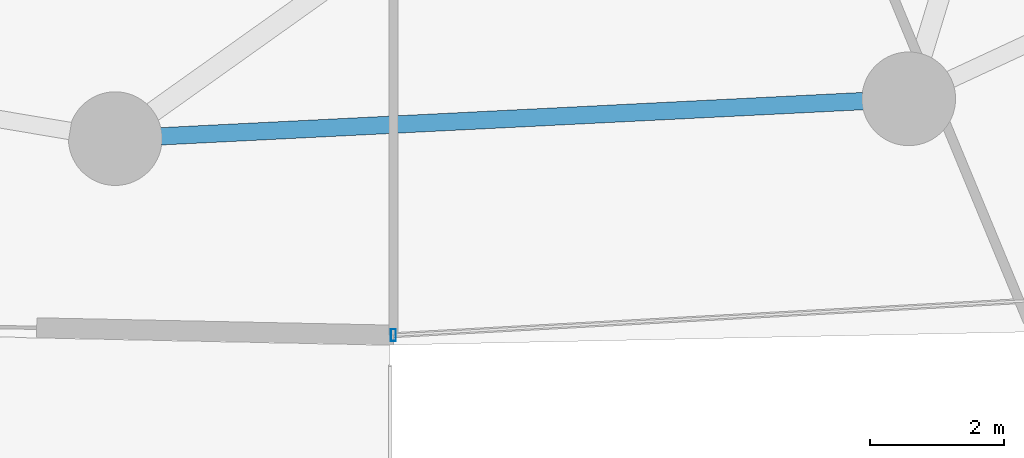
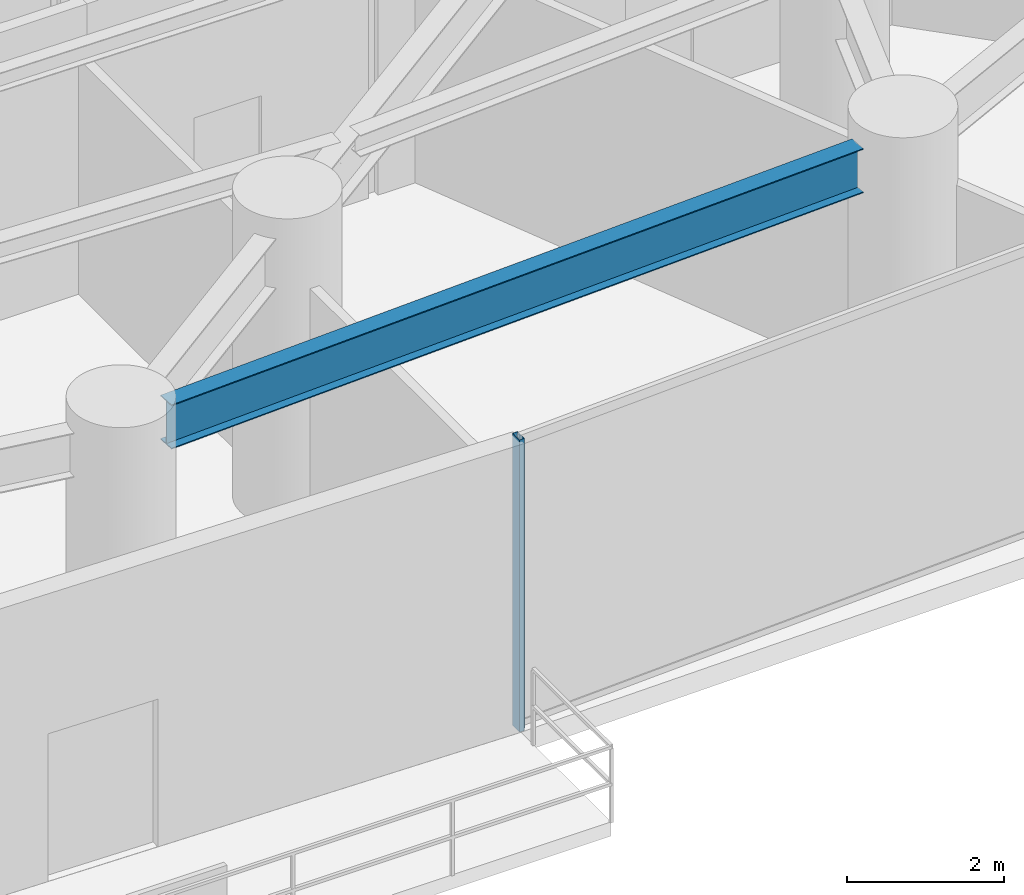
# One storey, part 9 of 30: 1 beam, 1 member, 1 element without a shape of its own.
"""IFC4 building model written with IfcOpenShell, lengths in metres."""

from ifc_helpers import new_model, si_unit, direction, frame, origin, origin_2d, place, context, subcontext, project, spatial, hollow_rectangle, i_section, extrude, material, material_profile, profile_set, type_object, element, aggregate, save


model = new_model("IFC4")

# Units and contexts
model_context = context("Model", 3, precision=1e-05, world=origin(), true_north=direction((0.0, 1.0)))
body_context = subcontext(model_context, "Body", "Model", "MODEL_VIEW")
ifc_project = project(units=[si_unit("LENGTHUNIT", "METRE"), si_unit("AREAUNIT", "SQUARE_METRE"), si_unit("VOLUMEUNIT", "CUBIC_METRE"), si_unit("PLANEANGLEUNIT", "RADIAN"), si_unit("MASSUNIT", "GRAM", prefix="KILO")], contexts=[model_context])

# Site, building, storey
site_placement = place(None, origin())
site = spatial("IfcSite", under=ifc_project, at=site_placement, CompositionType="ELEMENT")
building_placement = place(site_placement, origin())
building = spatial("IfcBuilding", under=site, at=building_placement, Name="Vorneva Point Tower", CompositionType="ELEMENT")
storey_placement = place(building_placement, frame((0.0, 0.0, 9.60009765625)))
storey = spatial("IfcBuildingStorey", under=building, at=storey_placement, Name="L02", CompositionType="ELEMENT", Elevation=9.60009765625)

# Beam
ifc_material_1 = material(Name="Steel S355", Category="steel")
ifc_material_profile_1 = material_profile(ifc_material_1, i_section(OverallWidth=0.260009765625, OverallDepth=0.69091796875, WebThickness=0.011962890625, FlangeThickness=0.015380859375, at=origin_2d()), Name="70B1")
ifc_profile_set_1 = profile_set([ifc_material_profile_1], Name="Steel S355")
beam_type = type_object("IfcBeamType", Name="BM-SPN-70B1", PredefinedType="SPANDREL", material=ifc_profile_set_1)
beam_placement = place(storey_placement, frame((34.5244140625, 5.874267578125, 4.134521484375), z_axis=(0.998743400092, 0.050116073, 0.0), x_axis=(-0.050116073, 0.998743400092, 0.0)))
element("IfcBeam", 1, at=beam_placement, inside=storey, type_object=beam_type, Name="L02 Perimeter Spandrel Ring Beam 13", PredefinedType="SPANDREL", context=body_context, shape_type="SweptSolid", body=[
    extrude(i_section(OverallWidth=0.260009765625, OverallDepth=0.69091796875, WebThickness=0.011962890625, FlangeThickness=0.015380859375, at=origin_2d()), origin(), (0.0, 0.0, 1.0), 10.5078125),
])

# Curtain wall, member
ifc_material_2 = material(Name="Pale anodised aluminium", Category="aluminium")
curtain_wall_type = type_object("IfcCurtainWallType", Name="CW-POD-SYS", PredefinedType="NOTDEFINED", material=ifc_material_2)
curtain_wall_placement = place(storey_placement, origin())
curtain_wall = element("IfcCurtainWall", 2, at=curtain_wall_placement, inside=storey, type_object=curtain_wall_type, Name="L02 Unitised Curtain Wall CW-L02-R04", PredefinedType="NOTDEFINED")
ifc_material_profile_2 = material_profile(ifc_material_2, hollow_rectangle(XDim=0.074951171875, YDim=0.179931640625, WallThickness=0.00390625, at=origin_2d()), Name="AL-MUL 180x75x4")
ifc_profile_set_2 = profile_set([ifc_material_profile_2], Name="Pale anodised aluminium")
member_type = type_object("IfcMemberType", Name="CW-MUL-180", PredefinedType="MULLION", material=ifc_profile_set_2)
member_placement = place(storey_placement, frame((38.0, 2.901611328125, -0.0400390625), z_axis=(0.0, 0.0, 1.0), x_axis=(1.0, 0.0, 0.0)))
member = element("IfcMember", 3, at=member_placement, type_object=member_type, Name="CW-L02-R04 Mullion 01", PredefinedType="MULLION", context=body_context, shape_type="SweptSolid", body=[
    extrude(hollow_rectangle(XDim=0.074951171875, YDim=0.179931640625, WallThickness=0.00390625, at=origin_2d()), origin(), (0.0, 0.0, 1.0), 4.550048828125),
])
aggregate(curtain_wall, [member])

save(model, "model.ifc")
